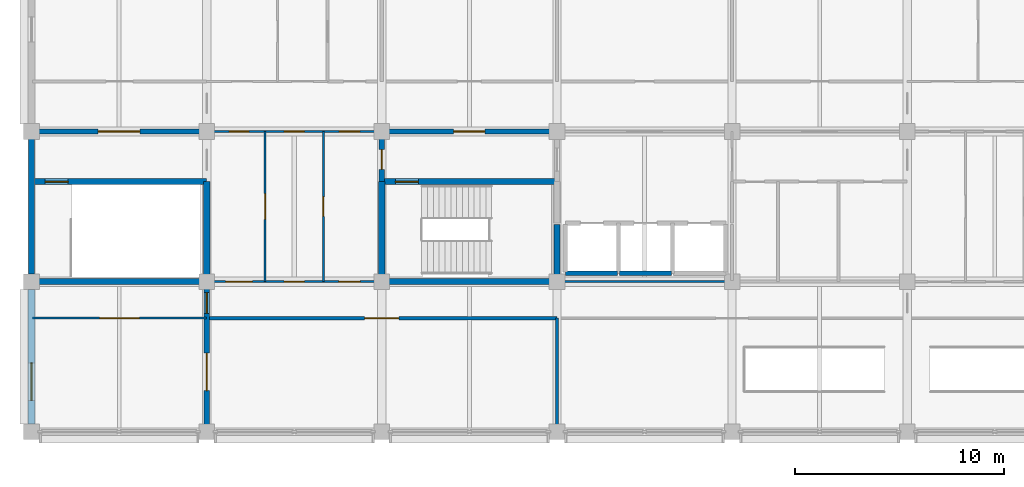
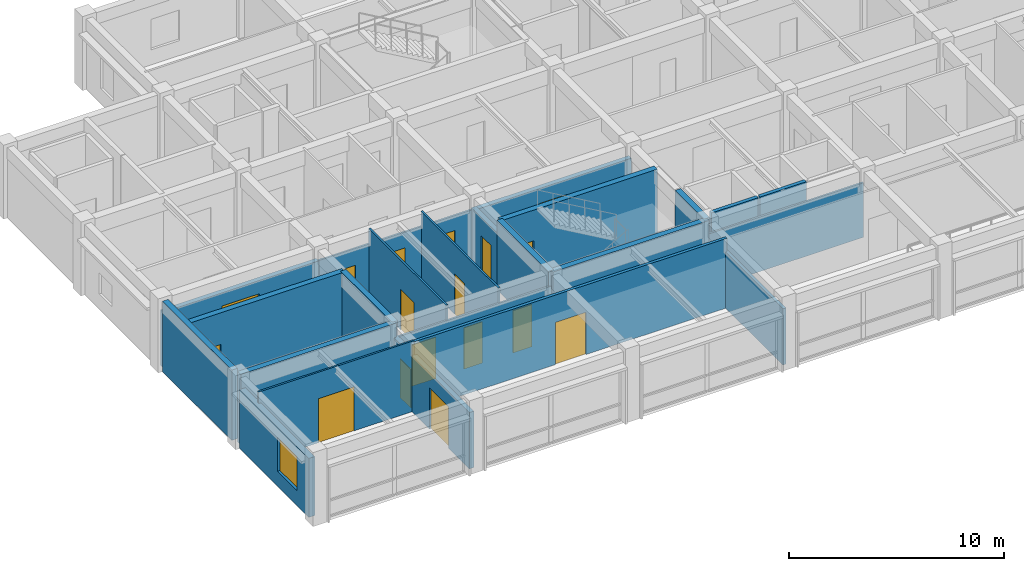
# One storey, part 11 of 23: 23 walls, 17 doors, 1 window, 18 openings.
"""IFC4 building model written with IfcOpenShell, lengths in metres."""

import ifcopenshell
import ifcopenshell.guid

model = None  # the IFC model being written
_history = None  # IfcOwnerHistory: only IFC2X3 demands one
_inside = {}  # id of a spatial element -> (the spatial element, [elements in it])
_under = {}  # id of a project, library or spatial element -> (it, [spatial elements below it])
_declared = {}  # id of a project -> (the project, [libraries it declares])
_typed = {}  # id of a type object -> (the type object, [elements of that type])
_made_of = {}  # id of a material, layer set ... -> (it, [elements and type objects made of it])


def new_model(schema):
    """Start an empty IFC model of exactly this schema.

    Asked for "IFC4X3", IfcOpenShell would pick the latest addendum, in which some entities
    have other attributes; the version numbers below select the first issue.
    IFC2X3 requires an IfcOwnerHistory on every rooted entity: one is made here for all.
    """
    global model, _history
    if schema == "IFC4X3":
        model = ifcopenshell.file(schema_version=(4, 3, 0, 0))
    else:
        model = ifcopenshell.file(schema=schema)
    _inside.clear()
    _under.clear()
    _declared.clear()
    _typed.clear()
    _made_of.clear()
    _history = None
    if model.schema == "IFC2X3":
        org = make("IfcOrganization", Name="unknown")
        user = make(
            "IfcPersonAndOrganization",
            ThePerson=make("IfcPerson", FamilyName="unknown"),
            TheOrganization=org,
        )
        app = make(
            "IfcApplication",
            ApplicationDeveloper=org,
            Version="unknown",
            ApplicationFullName="unknown",
            ApplicationIdentifier="unknown",
        )
        _history = make(
            "IfcOwnerHistory",
            OwningUser=user,
            OwningApplication=app,
            ChangeAction="ADDED",
            CreationDate=0,
        )
    return model


def make(cls, **values):
    """One entity of the class cls with the attributes given. An attribute that is None is left unset."""
    return model.create_entity(
        cls, **{name: value for name, value in values.items() if value is not None}
    )


def rooted(cls, **values):
    """An entity with a GlobalId (a new one), such as an element, a storey or a relation."""
    return make(cls, GlobalId=ifcopenshell.guid.new(), OwnerHistory=_history, **values)


def si_unit(unit_type, name, prefix=None):
    """IfcSIUnit, for example si_unit("LENGTHUNIT", "METRE", prefix="MILLI")."""
    return make("IfcSIUnit", UnitType=unit_type, Prefix=prefix, Name=name)


def assignment(units):
    """IfcUnitAssignment: the units of a project."""
    return None if units is None else make("IfcUnitAssignment", Units=units)


def point(xyz):
    """IfcCartesianPoint."""
    return None if xyz is None else make("IfcCartesianPoint", Coordinates=xyz)


def direction(xyz):
    """IfcDirection."""
    return None if xyz is None else make("IfcDirection", DirectionRatios=xyz)


def frame(location, z_axis=None, x_axis=None):
    """IfcAxis2Placement3D, a coordinate frame: its origin and axes. An axis left out is left unset."""
    return make(
        "IfcAxis2Placement3D",
        Location=point(location),
        Axis=direction(z_axis),
        RefDirection=direction(x_axis),
    )


def frame_2d(location, x_axis=None):
    """IfcAxis2Placement2D, a coordinate frame in the plane: its origin and x axis."""
    return make(
        "IfcAxis2Placement2D", Location=point(location), RefDirection=direction(x_axis)
    )


def origin():
    """The frame at (0, 0, 0) with its axes left unset."""
    return frame((0.0, 0.0, 0.0))


def place(relative_to, where):
    """IfcLocalPlacement: puts the frame where relative to a parent placement (None: the world)."""
    return make(
        "IfcLocalPlacement", PlacementRelTo=relative_to, RelativePlacement=where
    )


def context(
    kind, dimensions, precision=None, world=None, true_north=None, identifier=None
):
    """IfcGeometricRepresentationContext, for example the 3D "Model" context."""
    return make(
        "IfcGeometricRepresentationContext",
        ContextIdentifier=identifier,
        ContextType=kind,
        CoordinateSpaceDimension=dimensions,
        Precision=precision,
        WorldCoordinateSystem=world,
        TrueNorth=true_north,
    )


def subcontext(parent, identifier, kind, view, scale=None):
    """IfcGeometricRepresentationSubContext, for example "Body" below "Model"."""
    return make(
        "IfcGeometricRepresentationSubContext",
        ContextIdentifier=identifier,
        ContextType=kind,
        ParentContext=parent,
        TargetScale=scale,
        TargetView=view,
    )


def project(units=None, contexts=None):
    """IfcProject with its units and contexts."""
    return rooted(
        "IfcProject",
        Name="project",
        RepresentationContexts=contexts,
        UnitsInContext=assignment(units),
    )


def spatial(cls, under=None, at=None, **own):
    """A site, building, storey or space (cls), placed at a placement, below another one or the project."""
    s = rooted(cls, ObjectPlacement=at, **own)
    if under is not None:
        _under.setdefault(under.id(), (under, []))[1].append(s)
    return s


def profile(cls, at=None, kind="AREA", **sizes):
    """A parametric profile (cls). Its sizes go by their IFC names, for example OverallWidth=200.0."""
    return make(cls, ProfileType=kind, Position=at, **sizes)


def rectangle(**sizes):
    """IfcRectangleProfileDef."""
    return profile("IfcRectangleProfileDef", **sizes)


def extrude(swept, where, along, depth):
    """IfcExtrudedAreaSolid: the profile swept, set in the frame where, extruded along a direction by depth."""
    return make(
        "IfcExtrudedAreaSolid",
        SweptArea=swept,
        Position=where,
        ExtrudedDirection=direction(along),
        Depth=depth,
    )


def shape(context_of_items, identifier, shape_type, items):
    """IfcShapeRepresentation: the items that make up one representation, for example the "Body"."""
    return make(
        "IfcShapeRepresentation",
        ContextOfItems=context_of_items,
        RepresentationIdentifier=identifier,
        RepresentationType=shape_type,
        Items=items,
    )


def material(Name=None, Category=None):
    """IfcMaterial."""
    return make("IfcMaterial", Name=Name, Category=Category)


def layer(
    of_material, thickness, ventilated=None, Name=None, Category=None, Priority=None
):
    """IfcMaterialLayer: one layer of a wall or slab, of a material (None: an air gap)."""
    return make(
        "IfcMaterialLayer",
        Material=of_material,
        LayerThickness=thickness,
        IsVentilated=ventilated,
        Name=Name,
        Category=Category,
        Priority=Priority,
    )


def layer_set(layers, Name=None):
    """IfcMaterialLayerSet."""
    return make("IfcMaterialLayerSet", MaterialLayers=layers, LayerSetName=Name)


def made_of(thing, what):
    """Note that an element or type object is made of a material, layer set ...; save() writes the relation."""
    if what is not None:
        _made_of.setdefault(what.id(), (what, []))[1].append(thing)
    return thing


def type_object(cls, material=None, **own):
    """A type object (cls), such as IfcWallType, which elements share."""
    return made_of(rooted(cls, **own), material)


def element(
    cls,
    number,
    at=None,
    inside=None,
    cuts=None,
    type_object=None,
    material=None,
    context=None,
    identifier="Body",
    shape_type=None,
    held_by="IfcProductDefinitionShape",
    body=None,
    shapes=None,
    **own,
):
    """One element of the class cls, such as IfcWall. Its Tag is "e" and its number.

    at: its placement. inside: the storey or other place that contains it. cuts: it is an
    opening in that element (IfcRelVoidsElement). A single representation is given by context,
    identifier, shape_type and body (its items); several are given by shapes. held_by: the class
    of the entity that holds the representations. save() writes the other relations.
    """
    e = rooted(cls, Tag="e%d" % number, ObjectPlacement=at, **own)
    if body is not None:
        shapes = [shape(context, identifier, shape_type, body)]
    if shapes is not None:
        e.Representation = make(held_by, Representations=shapes)
    if inside is not None:
        _inside.setdefault(inside.id(), (inside, []))[1].append(e)
    if cuts is not None:
        rooted(
            "IfcRelVoidsElement", RelatingBuildingElement=cuts, RelatedOpeningElement=e
        )
    if type_object is not None:
        _typed.setdefault(type_object.id(), (type_object, []))[1].append(e)
    return made_of(e, material)


def fill(opening, filler):
    """IfcRelFillsElement: the door or window that sits in an opening."""
    return rooted(
        "IfcRelFillsElement",
        RelatingOpeningElement=opening,
        RelatedBuildingElement=filler,
    )


def aggregate(whole, parts):
    """IfcRelAggregates: a whole, such as a stair, and the parts it consists of."""
    return rooted("IfcRelAggregates", RelatingObject=whole, RelatedObjects=parts)


def save(model, path):
    """Write the relations noted so far, then the file.

    IfcRelAggregates (storeys below a building ...), IfcRelContainedInSpatialStructure (elements
    in a storey), IfcRelDefinesByType, IfcRelAssociatesMaterial and IfcRelDeclares: one each for
    every whole, place, type object, material and project.
    """
    for whole, parts in _under.values():
        aggregate(whole, parts)
    for where, things in _inside.values():
        rooted(
            "IfcRelContainedInSpatialStructure",
            RelatedElements=things,
            RelatingStructure=where,
        )
    for kind, things in _typed.values():
        rooted("IfcRelDefinesByType", RelatedObjects=things, RelatingType=kind)
    for what, things in _made_of.values():
        rooted("IfcRelAssociatesMaterial", RelatedObjects=things, RelatingMaterial=what)
    for by, libraries in _declared.values():
        rooted("IfcRelDeclares", RelatingContext=by, RelatedDefinitions=libraries)
    model.write(path)


model = new_model("IFC4")

# Units and contexts
model_context = context("Model", 3, precision=1e-05, world=origin(), true_north=direction((0.0, 1.0)))
body_context = subcontext(model_context, "Body", "Model", "MODEL_VIEW")
ifc_project = project(units=[si_unit("LENGTHUNIT", "METRE"), si_unit("AREAUNIT", "SQUARE_METRE"), si_unit("VOLUMEUNIT", "CUBIC_METRE"), si_unit("PLANEANGLEUNIT", "RADIAN"), si_unit("MASSUNIT", "GRAM", prefix="KILO")], contexts=[model_context])

# Site, building, storey
site_placement = place(None, origin())
site = spatial("IfcSite", under=ifc_project, at=site_placement, CompositionType="ELEMENT")
building_placement = place(site_placement, origin())
building = spatial("IfcBuilding", under=site, at=building_placement, Name="Chengyuan Square Courthouse", CompositionType="ELEMENT")
storey_placement = place(building_placement, frame((0.0, 0.0, 43.5)))
storey = spatial("IfcBuildingStorey", under=building, at=storey_placement, Name="L10", CompositionType="ELEMENT", Elevation=43.5)

# Wall, opening, window
ifc_material_1 = material(Name="Concrete C40", Category="concrete")
ifc_layer_1 = layer(ifc_material_1, 0.320068359375)
ifc_layer_set_1 = layer_set([ifc_layer_1], Name="Concrete C40")
wall_type_1 = type_object("IfcWallType", Name="WL-EW3", PredefinedType="STANDARD", material=ifc_layer_set_1)
wall_1_placement = place(storey_placement, frame((42.0, 79.570068359375, 0.0), z_axis=(0.0, 0.0, 1.0), x_axis=(0.0, 1.0, 0.0)))
wall_1 = element("IfcWall", 1, at=wall_1_placement, inside=storey, type_object=wall_type_1, Name="Exterior Wall WL-L10-E429", PredefinedType="STANDARD", context=body_context, shape_type="SweptSolid", body=[
    extrude(rectangle(XDim=6.4599609375, YDim=0.320068359375, at=frame_2d((3.22998046875, 0.0))), origin(), (0.0, 0.0, 1.0), 3.35009765625),
])
opening_1_placement = place(wall_1_placement, frame((1.1298828125, 0.0, 0.85009765625)))
opening_1 = element("IfcOpeningElement", 2, at=opening_1_placement, cuts=wall_1, Name="Opening WN-169", PredefinedType="OPENING", context=body_context, shape_type="SweptSolid", body=[
    extrude(rectangle(XDim=1.800048828125, YDim=1.919921875, at=frame_2d((0.89990234375, 0.9599609375))), frame((0.0, 0.172119140625, 0.0), z_axis=(0.0, -1.0, 0.0), x_axis=(1.0, 0.0, 0.0)), (0.0, 0.0, 1.0), 0.343994140625),
])
ifc_material_2 = material(Name="Thermally Broken Aluminium Triple Low-E Window", Category="aluminium")
window_type = type_object("IfcWindowType", Name="WT-35", PartitioningType="SINGLE_PANEL", PredefinedType="WINDOW", material=ifc_material_2)
window_placement = place(opening_1_placement, origin())
window = element("IfcWindow", 3, at=window_placement, inside=storey, type_object=window_type, Name="Facade Window WN-169", OverallHeight=1.919921875, OverallWidth=1.800048828125, PartitioningType="SINGLE_PANEL", PredefinedType="WINDOW", context=body_context, shape_type="SweptSolid", body=[
    extrude(rectangle(XDim=1.800048828125, YDim=1.919921875, at=frame_2d((0.89990234375, 0.9599609375))), frame((0.0, 0.030029296875, 0.0), z_axis=(0.0, -1.0, 0.0), x_axis=(1.0, 0.0, 0.0)), (0.0, 0.0, 1.0), 0.06005859375),
])
fill(opening_1, window)

# Wall, opening, door
ifc_layer_2 = layer(ifc_material_1, 0.25)
ifc_layer_set_2 = layer_set([ifc_layer_2], Name="Concrete C40")
wall_type_2 = type_object("IfcWallType", Name="WL-FW1", PredefinedType="STANDARD", material=ifc_layer_set_2)
wall_2_placement = place(storey_placement, frame((42.0400390625, 93.60009765625, 0.0), z_axis=(0.0, 0.0, 1.0), x_axis=(1.0, 0.0, 0.0)))
wall_2 = element("IfcWall", 4, at=wall_2_placement, inside=storey, type_object=wall_type_2, Name="Interior Wall WL-L10-I3323", PredefinedType="STANDARD", context=body_context, shape_type="SweptSolid", body=[
    extrude(rectangle(XDim=8.35986328125, YDim=0.25, at=frame_2d((4.179931640625, 0.0))), origin(), (0.0, 0.0, 1.0), 3.14990234375),
])
opening_2_placement = place(wall_2_placement, frame((3.159912109375, 0.0, 0.0)))
opening_2 = element("IfcOpeningElement", 5, at=opening_2_placement, cuts=wall_2, Name="Opening DR-2789", PredefinedType="OPENING", context=body_context, shape_type="SweptSolid", body=[
    extrude(rectangle(XDim=2.0, YDim=2.39990234375, at=frame_2d((1.0, 1.199951171875))), frame((0.0, 0.136962890625, 0.0), z_axis=(0.0, -1.0, 0.0), x_axis=(1.0, 0.0, 0.0)), (0.0, 0.0, 1.0), 0.27392578125),
])
ifc_material_3 = material(Name="Steel Q235B Glazed Fire Door", Category="steel")
door_type_1 = type_object("IfcDoorType", Name="DT-20", OperationType="DOUBLE_DOOR_SINGLE_SWING", PredefinedType="DOOR", material=ifc_material_3)
door_1_placement = place(opening_2_placement, frame((2.0, 0.0, 0.0), z_axis=(0.0, 0.0, 1.0), x_axis=(-1.0, 0.0, 0.0)))
door_1 = element("IfcDoor", 6, at=door_1_placement, inside=storey, type_object=door_type_1, Name="Interior Door DR-2789", OperationType="DOUBLE_DOOR_SINGLE_SWING", OverallHeight=2.39990234375, OverallWidth=2.0, PredefinedType="DOOR", context=body_context, shape_type="SweptSolid", body=[
    extrude(rectangle(XDim=2.0, YDim=2.39990234375, at=frame_2d((1.0, 1.199951171875))), frame((0.0, 0.02490234375, 0.0), z_axis=(0.0, -1.0, 0.0), x_axis=(1.0, 0.0, 0.0)), (0.0, 0.0, 1.0), 0.050048828125),
])
fill(opening_2, door_1)

wall_3_placement = place(storey_placement, frame((58.800048828125, 93.60009765625, 0.0), z_axis=(0.0, 0.0, 1.0), x_axis=(1.0, 0.0, 0.0)))
wall_3 = element("IfcWall", 7, at=wall_3_placement, inside=storey, type_object=wall_type_2, Name="Interior Wall WL-L10-I3325", PredefinedType="STANDARD", context=body_context, shape_type="SweptSolid", body=[
    extrude(rectangle(XDim=8.39990234375, YDim=0.25, at=frame_2d((4.199951171875, 0.0))), origin(), (0.0, 0.0, 1.0), 3.10009765625),
])
opening_3_placement = place(wall_3_placement, frame((3.449951171875, 0.0, 0.0)))
opening_3 = element("IfcOpeningElement", 8, at=opening_3_placement, cuts=wall_3, Name="Opening DR-2784", PredefinedType="OPENING", context=body_context, shape_type="SweptSolid", body=[
    extrude(rectangle(XDim=1.5, YDim=2.25, at=frame_2d((0.75, 1.125))), frame((0.0, 0.136962890625, 0.0), z_axis=(0.0, -1.0, 0.0), x_axis=(1.0, 0.0, 0.0)), (0.0, 0.0, 1.0), 0.27392578125),
])
door_type_2 = type_object("IfcDoorType", Name="DT-19", OperationType="DOUBLE_DOOR_SINGLE_SWING", PredefinedType="DOOR", material=ifc_material_3)
door_2_placement = place(opening_3_placement, frame((1.5, 0.0, 0.0), z_axis=(0.0, 0.0, 1.0), x_axis=(-1.0, 0.0, 0.0)))
door_2 = element("IfcDoor", 9, at=door_2_placement, inside=storey, type_object=door_type_2, Name="Interior Door DR-2784", OperationType="DOUBLE_DOOR_SINGLE_SWING", OverallHeight=2.25, OverallWidth=1.5, PredefinedType="DOOR", context=body_context, shape_type="SweptSolid", body=[
    extrude(rectangle(XDim=1.5, YDim=2.25, at=frame_2d((0.75, 1.125))), frame((0.0, 0.02490234375, 0.0), z_axis=(0.0, -1.0, 0.0), x_axis=(1.0, 0.0, 0.0)), (0.0, 0.0, 1.0), 0.050048828125),
])
fill(opening_3, door_2)

# Wall, openings, doors
wall_4_placement = place(storey_placement, frame((50.39990234375, 79.239990234375, 0.0), z_axis=(0.0, 0.0, 1.0), x_axis=(0.0, 1.0, 0.0)))
wall_4 = element("IfcWall", 10, at=wall_4_placement, inside=storey, type_object=wall_type_2, Name="Interior Wall WL-L10-I3404", PredefinedType="STANDARD", context=body_context, shape_type="SweptSolid", body=[
    extrude(rectangle(XDim=7.159912109375, YDim=0.25, at=frame_2d((3.580078125, 0.0))), origin(), (0.0, 0.0, 1.0), 3.199951171875),
])
opening_4_placement = place(wall_4_placement, frame((5.637451171875, 0.0, 0.0)))
opening_4 = element("IfcOpeningElement", 11, at=opening_4_placement, cuts=wall_4, Name="Opening DR-2898", PredefinedType="OPENING", context=body_context, shape_type="SweptSolid", body=[
    extrude(rectangle(XDim=1.0, YDim=2.199951171875, at=frame_2d((0.5, 1.10009765625))), frame((0.0, 0.136962890625, 0.0), z_axis=(0.0, -1.0, 0.0), x_axis=(1.0, 0.0, 0.0)), (0.0, 0.0, 1.0), 0.27392578125),
])
opening_5_placement = place(wall_4_placement, frame((1.9326171875, 0.0, 0.0)))
opening_5 = element("IfcOpeningElement", 12, at=opening_5_placement, cuts=wall_4, Name="Opening DR-2907", PredefinedType="OPENING", context=body_context, shape_type="SweptSolid", body=[
    extrude(rectangle(XDim=1.800048828125, YDim=2.35009765625, at=frame_2d((0.89990234375, 1.175048828125))), frame((0.0, 0.136962890625, 0.0), z_axis=(0.0, -1.0, 0.0), x_axis=(1.0, 0.0, 0.0)), (0.0, 0.0, 1.0), 0.27392578125),
])
ifc_material_4 = material(Name="Steel Q235B Fire Door", Category="steel")
door_type_3 = type_object("IfcDoorType", Name="DT-11", OperationType="NOTDEFINED", PredefinedType="DOOR", material=ifc_material_4)
door_3_placement = place(opening_4_placement, origin())
door_3 = element("IfcDoor", 13, at=door_3_placement, inside=storey, type_object=door_type_3, Name="Interior Door DR-2898", OperationType="SINGLE_SWING_LEFT", OverallHeight=2.199951171875, OverallWidth=1.0, PredefinedType="DOOR", context=body_context, shape_type="SweptSolid", body=[
    extrude(rectangle(XDim=1.0, YDim=2.199951171875, at=frame_2d((0.5, 1.10009765625))), frame((0.0, 0.02490234375, 0.0), z_axis=(0.0, -1.0, 0.0), x_axis=(1.0, 0.0, 0.0)), (0.0, 0.0, 1.0), 0.050048828125),
])
fill(opening_4, door_3)
door_type_4 = type_object("IfcDoorType", Name="DT-18", OperationType="DOUBLE_DOOR_SINGLE_SWING", PredefinedType="DOOR", material=ifc_material_3)
door_4_placement = place(opening_5_placement, frame((1.800048828125, 0.0, 0.0), z_axis=(0.0, 0.0, 1.0), x_axis=(-1.0, 0.0, 0.0)))
door_4 = element("IfcDoor", 14, at=door_4_placement, inside=storey, type_object=door_type_4, Name="Interior Door DR-2907", OperationType="DOUBLE_DOOR_SINGLE_SWING", OverallHeight=2.35009765625, OverallWidth=1.800048828125, PredefinedType="DOOR", context=body_context, shape_type="SweptSolid", body=[
    extrude(rectangle(XDim=1.800048828125, YDim=2.35009765625, at=frame_2d((0.89990234375, 1.175048828125))), frame((0.0, 0.02490234375, 0.0), z_axis=(0.0, -1.0, 0.0), x_axis=(1.0, 0.0, 0.0)), (0.0, 0.0, 1.0), 0.050048828125),
])
fill(opening_5, door_4)

# Wall, opening, door
wall_5_placement = place(storey_placement, frame((58.800048828125, 91.199951171875, 0.0), z_axis=(0.0, 0.0, 1.0), x_axis=(0.0, 1.0, 0.0)))
wall_5 = element("IfcWall", 15, at=wall_5_placement, inside=storey, type_object=wall_type_2, Name="Interior Wall WL-L10-I3417", PredefinedType="STANDARD", context=body_context, shape_type="SweptSolid", body=[
    extrude(rectangle(XDim=2.400146484375, YDim=0.25, at=frame_2d((1.2001953125, 0.0))), origin(), (0.0, 0.0, 1.0), 3.199951171875),
])
opening_6_placement = place(wall_5_placement, frame((0.577392578125, 0.0, 0.0)))
opening_6 = element("IfcOpeningElement", 16, at=opening_6_placement, cuts=wall_5, Name="Opening DR-2785", PredefinedType="OPENING", context=body_context, shape_type="SweptSolid", body=[
    extrude(rectangle(XDim=0.949951171875, YDim=2.14990234375, at=frame_2d((0.47509765625, 1.074951171875))), frame((0.0, 0.136962890625, 0.0), z_axis=(0.0, -1.0, 0.0), x_axis=(1.0, 0.0, 0.0)), (0.0, 0.0, 1.0), 0.27392578125),
])
door_type_5 = type_object("IfcDoorType", Name="DT-12", OperationType="NOTDEFINED", PredefinedType="DOOR", material=ifc_material_4)
door_5_placement = place(opening_6_placement, origin())
door_5 = element("IfcDoor", 17, at=door_5_placement, inside=storey, type_object=door_type_5, Name="Interior Door DR-2785", OperationType="SINGLE_SWING_RIGHT", OverallHeight=2.14990234375, OverallWidth=0.949951171875, PredefinedType="DOOR", context=body_context, shape_type="SweptSolid", body=[
    extrude(rectangle(XDim=0.949951171875, YDim=2.14990234375, at=frame_2d((0.47509765625, 1.074951171875))), frame((0.0, 0.02490234375, 0.0), z_axis=(0.0, -1.0, 0.0), x_axis=(1.0, 0.0, 0.0)), (0.0, 0.0, 1.0), 0.050048828125),
])
fill(opening_6, door_5)

ifc_material_5 = material(Name="Acoustic Timber-Lined Gypsum Partition", Category="wood")
ifc_layer_3 = layer(ifc_material_5, 0.159912109375)
ifc_layer_set_3 = layer_set([ifc_layer_3], Name="Acoustic Timber-Lined Gypsum Partition")
wall_type_3 = type_object("IfcWallType", Name="WL-PT2", PredefinedType="STANDARD", material=ifc_layer_set_3)
wall_6_placement = place(storey_placement, frame((50.39990234375, 84.64990234375, 0.0), z_axis=(0.0, 0.0, 1.0), x_axis=(1.0, 0.0, 0.0)))
wall_6 = element("IfcWall", 18, at=wall_6_placement, inside=storey, type_object=wall_type_3, Name="Interior Wall WL-L10-I3296", PredefinedType="STANDARD", context=body_context, shape_type="SweptSolid", body=[
    extrude(rectangle(XDim=16.800048828125, YDim=0.159912109375, at=frame_2d((8.39990234375, 0.0))), origin(), (0.0, 0.0, 1.0), 3.949951171875),
])
opening_7_placement = place(wall_6_placement, frame((7.574951171875, 0.0, 0.0)))
opening_7 = element("IfcOpeningElement", 19, at=opening_7_placement, cuts=wall_6, Name="Opening DR-2901", PredefinedType="OPENING", context=body_context, shape_type="SweptSolid", body=[
    extrude(rectangle(XDim=1.64990234375, YDim=2.39990234375, at=frame_2d((0.824951171875, 1.199951171875))), frame((0.0, 0.092041015625, 0.0), z_axis=(0.0, -1.0, 0.0), x_axis=(1.0, 0.0, 0.0)), (0.0, 0.0, 1.0), 0.183837890625),
])
ifc_material_6 = material(Name="Acoustic Larch Veneer Double Door")
door_type_6 = type_object("IfcDoorType", Name="DT-22", OperationType="DOUBLE_DOOR_SINGLE_SWING", PredefinedType="DOOR", material=ifc_material_6)
door_6_placement = place(opening_7_placement, frame((1.64990234375, 0.0, 0.0), z_axis=(0.0, 0.0, 1.0), x_axis=(-1.0, 0.0, 0.0)))
door_6 = element("IfcDoor", 20, at=door_6_placement, inside=storey, type_object=door_type_6, Name="Interior Door DR-2901", OperationType="DOUBLE_DOOR_SINGLE_SWING", OverallHeight=2.39990234375, OverallWidth=1.64990234375, PredefinedType="DOOR", context=body_context, shape_type="SweptSolid", body=[
    extrude(rectangle(XDim=1.64990234375, YDim=2.39990234375, at=frame_2d((0.824951171875, 1.199951171875))), frame((0.0, 0.02490234375, 0.0), z_axis=(0.0, -1.0, 0.0), x_axis=(1.0, 0.0, 0.0)), (0.0, 0.0, 1.0), 0.050048828125),
])
fill(opening_7, door_6)

# Wall
wall_7_placement = place(storey_placement, frame((67.199951171875, 79.239990234375, 0.0), z_axis=(0.0, 0.0, 1.0), x_axis=(0.0, 1.0, 0.0)))
element("IfcWall", 21, at=wall_7_placement, inside=storey, type_object=wall_type_3, Name="Interior Wall WL-L10-I3422", PredefinedType="STANDARD", context=body_context, shape_type="SweptSolid", body=[
    extrude(rectangle(XDim=5.409912109375, YDim=0.159912109375, at=frame_2d((2.705078125, 0.0))), origin(), (0.0, 0.0, 1.0), 3.199951171875),
])

# Wall, opening, door
ifc_material_7 = material(Name="Gypsum Plasterboard Acoustic Stud Partition")
ifc_layer_4 = layer(ifc_material_7, 0.10009765625)
ifc_layer_set_4 = layer_set([ifc_layer_4], Name="Gypsum Plasterboard Acoustic Stud Partition")
wall_type_4 = type_object("IfcWallType", Name="WL-PT6", PredefinedType="STANDARD", material=ifc_layer_set_4)
wall_8_placement = place(storey_placement, frame((42.0400390625, 84.64990234375, 0.0), z_axis=(0.0, 0.0, 1.0), x_axis=(1.0, 0.0, 0.0)))
wall_8 = element("IfcWall", 22, at=wall_8_placement, inside=storey, type_object=wall_type_4, Name="Interior Wall WL-L10-I3295", PredefinedType="STANDARD", context=body_context, shape_type="SweptSolid", body=[
    extrude(rectangle(XDim=8.35986328125, YDim=0.10009765625, at=frame_2d((4.179931640625, 0.0))), origin(), (0.0, 0.0, 1.0), 4.0),
])
opening_8_placement = place(wall_8_placement, frame((3.22998046875, 0.0, 0.0)))
opening_8 = element("IfcOpeningElement", 23, at=opening_8_placement, cuts=wall_8, Name="Opening DR-2899", PredefinedType="OPENING", context=body_context, shape_type="SweptSolid", body=[
    extrude(rectangle(XDim=1.89990234375, YDim=2.5, at=frame_2d((0.949951171875, 1.25))), frame((0.0, 0.06201171875, 0.0), z_axis=(0.0, -1.0, 0.0), x_axis=(1.0, 0.0, 0.0)), (0.0, 0.0, 1.0), 0.1240234375),
])
door_type_7 = type_object("IfcDoorType", Name="DT-26", OperationType="DOUBLE_DOOR_SINGLE_SWING", PredefinedType="DOOR", material=ifc_material_6)
door_7_placement = place(opening_8_placement, frame((1.89990234375, 0.0, 0.0), z_axis=(0.0, 0.0, 1.0), x_axis=(-1.0, 0.0, 0.0)))
door_7 = element("IfcDoor", 24, at=door_7_placement, inside=storey, type_object=door_type_7, Name="Interior Door DR-2899", OperationType="DOUBLE_DOOR_SINGLE_SWING", OverallHeight=2.5, OverallWidth=1.89990234375, PredefinedType="DOOR", context=body_context, shape_type="SweptSolid", body=[
    extrude(rectangle(XDim=1.89990234375, YDim=2.5, at=frame_2d((0.949951171875, 1.25))), frame((0.0, 0.02490234375, 0.0), z_axis=(0.0, -1.0, 0.0), x_axis=(1.0, 0.0, 0.0)), (0.0, 0.0, 1.0), 0.050048828125),
])
fill(opening_8, door_7)

# Wall, openings, doors
wall_9_placement = place(storey_placement, frame((50.39990234375, 86.39990234375, 0.0), z_axis=(0.0, 0.0, 1.0), x_axis=(1.0, 0.0, 0.0)))
wall_9 = element("IfcWall", 25, at=wall_9_placement, inside=storey, type_object=wall_type_4, Name="Interior Wall WL-L10-I3301", PredefinedType="STANDARD", context=body_context, shape_type="SweptSolid", body=[
    extrude(rectangle(XDim=8.400146484375, YDim=0.10009765625, at=frame_2d((4.2001953125, 0.0))), origin(), (0.0, 0.0, 1.0), 3.10009765625),
])
opening_9_placement = place(wall_9_placement, frame((0.907470703125, 0.0, 0.0)))
opening_9 = element("IfcOpeningElement", 26, at=opening_9_placement, cuts=wall_9, Name="Opening DR-2874", PredefinedType="OPENING", context=body_context, shape_type="SweptSolid", body=[
    extrude(rectangle(XDim=1.280029296875, YDim=2.35009765625, at=frame_2d((0.64013671875, 1.175048828125))), frame((0.0, 0.06201171875, 0.0), z_axis=(0.0, -1.0, 0.0), x_axis=(1.0, 0.0, 0.0)), (0.0, 0.0, 1.0), 0.1240234375),
])
opening_10_placement = place(wall_9_placement, frame((3.7099609375, 0.0, 0.0)))
opening_10 = element("IfcOpeningElement", 27, at=opening_10_placement, cuts=wall_9, Name="Opening DR-2876", PredefinedType="OPENING", context=body_context, shape_type="SweptSolid", body=[
    extrude(rectangle(XDim=0.97998046875, YDim=2.35009765625, at=frame_2d((0.489990234375, 1.175048828125))), frame((0.0, 0.06201171875, 0.0), z_axis=(0.0, -1.0, 0.0), x_axis=(1.0, 0.0, 0.0)), (0.0, 0.0, 1.0), 0.1240234375),
])
opening_11_placement = place(wall_9_placement, frame((6.342529296875, 0.0, 0.0)))
opening_11 = element("IfcOpeningElement", 28, at=opening_11_placement, cuts=wall_9, Name="Opening DR-2877", PredefinedType="OPENING", context=body_context, shape_type="SweptSolid", body=[
    extrude(rectangle(XDim=1.02001953125, YDim=2.39990234375, at=frame_2d((0.510009765625, 1.199951171875))), frame((0.0, 0.06201171875, 0.0), z_axis=(0.0, -1.0, 0.0), x_axis=(1.0, 0.0, 0.0)), (0.0, 0.0, 1.0), 0.1240234375),
])
ifc_material_8 = material(Name="Acoustic Solid-Core Timber Door", Category="wood")
door_type_8 = type_object("IfcDoorType", Name="DT-38", OperationType="NOTDEFINED", PredefinedType="DOOR", material=ifc_material_8)
door_8_placement = place(opening_9_placement, origin())
door_8 = element("IfcDoor", 29, at=door_8_placement, inside=storey, type_object=door_type_8, Name="Interior Door DR-2874", OperationType="SINGLE_SWING_RIGHT", OverallHeight=2.35009765625, OverallWidth=1.280029296875, PredefinedType="DOOR", context=body_context, shape_type="SweptSolid", body=[
    extrude(rectangle(XDim=1.280029296875, YDim=2.35009765625, at=frame_2d((0.64013671875, 1.175048828125))), frame((0.0, 0.02490234375, 0.0), z_axis=(0.0, -1.0, 0.0), x_axis=(1.0, 0.0, 0.0)), (0.0, 0.0, 1.0), 0.050048828125),
])
fill(opening_9, door_8)
door_type_9 = type_object("IfcDoorType", Name="DT-40", OperationType="NOTDEFINED", PredefinedType="DOOR", material=ifc_material_8)
door_9_placement = place(opening_10_placement, origin())
door_9 = element("IfcDoor", 30, at=door_9_placement, inside=storey, type_object=door_type_9, Name="Interior Door DR-2876", OperationType="SINGLE_SWING_RIGHT", OverallHeight=2.35009765625, OverallWidth=0.97998046875, PredefinedType="DOOR", context=body_context, shape_type="SweptSolid", body=[
    extrude(rectangle(XDim=0.97998046875, YDim=2.35009765625, at=frame_2d((0.489990234375, 1.175048828125))), frame((0.0, 0.02490234375, 0.0), z_axis=(0.0, -1.0, 0.0), x_axis=(1.0, 0.0, 0.0)), (0.0, 0.0, 1.0), 0.050048828125),
])
fill(opening_10, door_9)
door_type_10 = type_object("IfcDoorType", Name="DT-41", OperationType="NOTDEFINED", PredefinedType="DOOR", material=ifc_material_8)
door_10_placement = place(opening_11_placement, origin())
door_10 = element("IfcDoor", 31, at=door_10_placement, inside=storey, type_object=door_type_10, Name="Interior Door DR-2877", OperationType="SINGLE_SWING_LEFT", OverallHeight=2.39990234375, OverallWidth=1.02001953125, PredefinedType="DOOR", context=body_context, shape_type="SweptSolid", body=[
    extrude(rectangle(XDim=1.02001953125, YDim=2.39990234375, at=frame_2d((0.510009765625, 1.199951171875))), frame((0.0, 0.02490234375, 0.0), z_axis=(0.0, -1.0, 0.0), x_axis=(1.0, 0.0, 0.0)), (0.0, 0.0, 1.0), 0.050048828125),
])
fill(opening_11, door_10)

# Wall
wall_10_placement = place(storey_placement, frame((67.25, 86.39990234375, 0.0), z_axis=(0.0, 0.0, 1.0), x_axis=(1.0, 0.0, 0.0)))
element("IfcWall", 32, at=wall_10_placement, inside=storey, type_object=wall_type_4, Name="Interior Wall WL-L10-I3303", PredefinedType="STANDARD", context=body_context, shape_type="SweptSolid", body=[
    extrude(rectangle(XDim=8.300048828125, YDim=0.10009765625, at=frame_2d((4.14990234375, 0.0))), origin(), (0.0, 0.0, 1.0), 3.10009765625),
])

# Wall, openings, doors
wall_11_placement = place(storey_placement, frame((50.39990234375, 93.60009765625, 0.0), z_axis=(0.0, 0.0, 1.0), x_axis=(1.0, 0.0, 0.0)))
wall_11 = element("IfcWall", 33, at=wall_11_placement, inside=storey, type_object=wall_type_4, Name="Interior Wall WL-L10-I3324", PredefinedType="STANDARD", context=body_context, shape_type="SweptSolid", body=[
    extrude(rectangle(XDim=8.400146484375, YDim=0.10009765625, at=frame_2d((4.2001953125, 0.0))), origin(), (0.0, 0.0, 1.0), 3.10009765625),
])
opening_12_placement = place(wall_11_placement, frame((1.08740234375, 0.0, 0.0)))
opening_12 = element("IfcOpeningElement", 34, at=opening_12_placement, cuts=wall_11, Name="Opening DR-2848", PredefinedType="OPENING", context=body_context, shape_type="SweptSolid", body=[
    extrude(rectangle(XDim=0.919921875, YDim=2.14990234375, at=frame_2d((0.4599609375, 1.074951171875))), frame((0.0, 0.06201171875, 0.0), z_axis=(0.0, -1.0, 0.0), x_axis=(1.0, 0.0, 0.0)), (0.0, 0.0, 1.0), 0.1240234375),
])
opening_13_placement = place(wall_11_placement, frame((3.719970703125, 0.0, 0.0)))
opening_13 = element("IfcOpeningElement", 35, at=opening_13_placement, cuts=wall_11, Name="Opening DR-2849", PredefinedType="OPENING", context=body_context, shape_type="SweptSolid", body=[
    extrude(rectangle(XDim=0.9599609375, YDim=2.199951171875, at=frame_2d((0.47998046875, 1.10009765625))), frame((0.0, 0.06201171875, 0.0), z_axis=(0.0, -1.0, 0.0), x_axis=(1.0, 0.0, 0.0)), (0.0, 0.0, 1.0), 0.1240234375),
])
opening_14_placement = place(wall_11_placement, frame((6.3525390625, 0.0, 0.0)))
opening_14 = element("IfcOpeningElement", 36, at=opening_14_placement, cuts=wall_11, Name="Opening DR-2850", PredefinedType="OPENING", context=body_context, shape_type="SweptSolid", body=[
    extrude(rectangle(XDim=1.0, YDim=2.25, at=frame_2d((0.5, 1.125))), frame((0.0, 0.06201171875, 0.0), z_axis=(0.0, -1.0, 0.0), x_axis=(1.0, 0.0, 0.0)), (0.0, 0.0, 1.0), 0.1240234375),
])
door_type_11 = type_object("IfcDoorType", Name="DT-29", OperationType="NOTDEFINED", PredefinedType="DOOR", material=ifc_material_8)
door_11_placement = place(opening_12_placement, origin())
door_11 = element("IfcDoor", 37, at=door_11_placement, inside=storey, type_object=door_type_11, Name="Interior Door DR-2848", OperationType="SINGLE_SWING_RIGHT", OverallHeight=2.14990234375, OverallWidth=0.919921875, PredefinedType="DOOR", context=body_context, shape_type="SweptSolid", body=[
    extrude(rectangle(XDim=0.919921875, YDim=2.14990234375, at=frame_2d((0.4599609375, 1.074951171875))), frame((0.0, 0.02490234375, 0.0), z_axis=(0.0, -1.0, 0.0), x_axis=(1.0, 0.0, 0.0)), (0.0, 0.0, 1.0), 0.050048828125),
])
fill(opening_12, door_11)
door_type_12 = type_object("IfcDoorType", Name="DT-30", OperationType="NOTDEFINED", PredefinedType="DOOR", material=ifc_material_8)
door_12_placement = place(opening_13_placement, origin())
door_12 = element("IfcDoor", 38, at=door_12_placement, inside=storey, type_object=door_type_12, Name="Interior Door DR-2849", OperationType="SINGLE_SWING_LEFT", OverallHeight=2.199951171875, OverallWidth=0.9599609375, PredefinedType="DOOR", context=body_context, shape_type="SweptSolid", body=[
    extrude(rectangle(XDim=0.9599609375, YDim=2.199951171875, at=frame_2d((0.47998046875, 1.10009765625))), frame((0.0, 0.02490234375, 0.0), z_axis=(0.0, -1.0, 0.0), x_axis=(1.0, 0.0, 0.0)), (0.0, 0.0, 1.0), 0.050048828125),
])
fill(opening_13, door_12)
door_type_13 = type_object("IfcDoorType", Name="DT-31", OperationType="NOTDEFINED", PredefinedType="DOOR", material=ifc_material_8)
door_13_placement = place(opening_14_placement, origin())
door_13 = element("IfcDoor", 39, at=door_13_placement, inside=storey, type_object=door_type_13, Name="Interior Door DR-2850", OperationType="SINGLE_SWING_RIGHT", OverallHeight=2.25, OverallWidth=1.0, PredefinedType="DOOR", context=body_context, shape_type="SweptSolid", body=[
    extrude(rectangle(XDim=1.0, YDim=2.25, at=frame_2d((0.5, 1.125))), frame((0.0, 0.02490234375, 0.0), z_axis=(0.0, -1.0, 0.0), x_axis=(1.0, 0.0, 0.0)), (0.0, 0.0, 1.0), 0.050048828125),
])
fill(opening_14, door_13)

# Wall, opening, door
wall_12_placement = place(storey_placement, frame((53.199951171875, 86.39990234375, 0.0), z_axis=(0.0, 0.0, 1.0), x_axis=(0.0, 1.0, 0.0)))
wall_12 = element("IfcWall", 40, at=wall_12_placement, inside=storey, type_object=wall_type_4, Name="Interior Wall WL-L10-I3409", PredefinedType="STANDARD", context=body_context, shape_type="SweptSolid", body=[
    extrude(rectangle(XDim=7.2001953125, YDim=0.10009765625, at=frame_2d((3.60009765625, 0.0))), origin(), (0.0, 0.0, 1.0), 3.949951171875),
])
opening_15_placement = place(wall_12_placement, frame((2.97998046875, 0.0, 0.0)))
opening_15 = element("IfcOpeningElement", 41, at=opening_15_placement, cuts=wall_12, Name="Opening DR-2873", PredefinedType="OPENING", context=body_context, shape_type="SweptSolid", body=[
    extrude(rectangle(XDim=1.239990234375, YDim=2.300048828125, at=frame_2d((0.6201171875, 1.14990234375))), frame((0.0, 0.06201171875, 0.0), z_axis=(0.0, -1.0, 0.0), x_axis=(1.0, 0.0, 0.0)), (0.0, 0.0, 1.0), 0.1240234375),
])
door_type_14 = type_object("IfcDoorType", Name="DT-37", OperationType="NOTDEFINED", PredefinedType="DOOR", material=ifc_material_8)
door_14_placement = place(opening_15_placement, origin())
door_14 = element("IfcDoor", 42, at=door_14_placement, inside=storey, type_object=door_type_14, Name="Interior Door DR-2873", OperationType="SINGLE_SWING_LEFT", OverallHeight=2.300048828125, OverallWidth=1.239990234375, PredefinedType="DOOR", context=body_context, shape_type="SweptSolid", body=[
    extrude(rectangle(XDim=1.239990234375, YDim=2.300048828125, at=frame_2d((0.6201171875, 1.14990234375))), frame((0.0, 0.02490234375, 0.0), z_axis=(0.0, -1.0, 0.0), x_axis=(1.0, 0.0, 0.0)), (0.0, 0.0, 1.0), 0.050048828125),
])
fill(opening_15, door_14)

wall_13_placement = place(storey_placement, frame((56.0, 86.39990234375, 0.0), z_axis=(0.0, 0.0, 1.0), x_axis=(0.0, 1.0, 0.0)))
wall_13 = element("IfcWall", 43, at=wall_13_placement, inside=storey, type_object=wall_type_4, Name="Interior Wall WL-L10-I3414", PredefinedType="STANDARD", context=body_context, shape_type="SweptSolid", body=[
    extrude(rectangle(XDim=7.2001953125, YDim=0.10009765625, at=frame_2d((3.60009765625, 0.0))), origin(), (0.0, 0.0, 1.0), 3.949951171875),
])
opening_16_placement = place(wall_13_placement, frame((3.1298828125, 0.0, 0.0)))
opening_16 = element("IfcOpeningElement", 44, at=opening_16_placement, cuts=wall_13, Name="Opening DR-2875", PredefinedType="OPENING", context=body_context, shape_type="SweptSolid", body=[
    extrude(rectangle(XDim=0.93994140625, YDim=2.300048828125, at=frame_2d((0.469970703125, 1.14990234375))), frame((0.0, 0.06201171875, 0.0), z_axis=(0.0, -1.0, 0.0), x_axis=(1.0, 0.0, 0.0)), (0.0, 0.0, 1.0), 0.1240234375),
])
door_type_15 = type_object("IfcDoorType", Name="DT-39", OperationType="NOTDEFINED", PredefinedType="DOOR", material=ifc_material_8)
door_15_placement = place(opening_16_placement, origin())
door_15 = element("IfcDoor", 45, at=door_15_placement, inside=storey, type_object=door_type_15, Name="Interior Door DR-2875", OperationType="SINGLE_SWING_LEFT", OverallHeight=2.300048828125, OverallWidth=0.93994140625, PredefinedType="DOOR", context=body_context, shape_type="SweptSolid", body=[
    extrude(rectangle(XDim=0.93994140625, YDim=2.300048828125, at=frame_2d((0.469970703125, 1.14990234375))), frame((0.0, 0.02490234375, 0.0), z_axis=(0.0, -1.0, 0.0), x_axis=(1.0, 0.0, 0.0)), (0.0, 0.0, 1.0), 0.050048828125),
])
fill(opening_16, door_15)

# Walls
ifc_material_9 = material(Name="Reinforced Masonry Shaft Enclosure", Category="masonry")
ifc_layer_5 = layer(ifc_material_9, 0.199951171875)
ifc_layer_set_5 = layer_set([ifc_layer_5], Name="Reinforced Masonry Shaft Enclosure")
wall_type_5 = type_object("IfcWallType", Name="WL-SH1", PredefinedType="STANDARD", material=ifc_layer_set_5)
for number, where, z_axis, x_axis, name in (
    (46, (67.60009765625, 86.800048828125, 0.0), (0.0, 0.0, 1.0), (1.0, 0.0, 0.0), "Interior Wall WL-L10-I3310"),
    (47, (70.199951171875, 86.800048828125, 0.0), (0.0, 0.0, 1.0), (1.0, 0.0, 0.0), "Interior Wall WL-L10-I3311"),
):
    element("IfcWall", number, at=place(storey_placement, frame(where, z_axis=z_axis, x_axis=x_axis)), inside=storey, type_object=wall_type_5, Name=name, PredefinedType="STANDARD", context=body_context, shape_type="SweptSolid", body=[
        extrude(rectangle(XDim=2.5, YDim=0.199951171875, at=frame_2d((1.25, 0.0))), origin(), (0.0, 0.0, 1.0), 3.949951171875),
    ])
ifc_layer_6 = layer(ifc_material_1, 0.300048828125)
ifc_layer_set_6 = layer_set([ifc_layer_6], Name="Concrete C40")
wall_type_6 = type_object("IfcWallType", Name="WL-SW2", PredefinedType="SHEAR", material=ifc_layer_set_6)
wall_14_placement = place(storey_placement, frame((42.0, 86.77001953125, 0.0), z_axis=(0.0, 0.0, 1.0), x_axis=(0.0, 1.0, 0.0)))
element("IfcWall", 48, at=wall_14_placement, inside=storey, type_object=wall_type_6, Name="Exterior Wall WL-L10-E430", PredefinedType="SHEAR", context=body_context, shape_type="SweptSolid", body=[
    extrude(rectangle(XDim=6.4599609375, YDim=0.300048828125, at=frame_2d((3.22998046875, 0.0))), origin(), (0.0, 0.0, 1.0), 4.0),
])
wall_15_placement = place(storey_placement, frame((42.0400390625, 86.39990234375, 0.0), z_axis=(0.0, 0.0, 1.0), x_axis=(1.0, 0.0, 0.0)))
element("IfcWall", 49, at=wall_15_placement, inside=storey, type_object=wall_type_6, Name="Interior Wall WL-L10-I3300", PredefinedType="SHEAR", context=body_context, shape_type="SweptSolid", body=[
    extrude(rectangle(XDim=8.35986328125, YDim=0.300048828125, at=frame_2d((4.179931640625, 0.0))), origin(), (0.0, 0.0, 1.0), 4.0),
])
wall_16_placement = place(storey_placement, frame((58.800048828125, 86.39990234375, 0.0), z_axis=(0.0, 0.0, 1.0), x_axis=(1.0, 0.0, 0.0)))
element("IfcWall", 50, at=wall_16_placement, inside=storey, type_object=wall_type_6, Name="Interior Wall WL-L10-I3302", PredefinedType="SHEAR", context=body_context, shape_type="SweptSolid", body=[
    extrude(rectangle(XDim=8.39990234375, YDim=0.300048828125, at=frame_2d((4.199951171875, 0.0))), origin(), (0.0, 0.0, 1.0), 3.949951171875),
])

# Wall, opening, door
wall_17_placement = place(storey_placement, frame((42.0400390625, 91.199951171875, 0.0), z_axis=(0.0, 0.0, 1.0), x_axis=(1.0, 0.0, 0.0)))
wall_17 = element("IfcWall", 51, at=wall_17_placement, inside=storey, type_object=wall_type_6, Name="Interior Wall WL-L10-I3318", PredefinedType="SHEAR", context=body_context, shape_type="SweptSolid", body=[
    extrude(rectangle(XDim=8.35986328125, YDim=0.300048828125, at=frame_2d((4.179931640625, 0.0))), origin(), (0.0, 0.0, 1.0), 4.0),
])
opening_17_placement = place(wall_17_placement, frame((0.610107421875, 0.0, 0.0)))
opening_17 = element("IfcOpeningElement", 52, at=opening_17_placement, cuts=wall_17, Name="Opening DR-2775", PredefinedType="OPENING", context=body_context, shape_type="SweptSolid", body=[
    extrude(rectangle(XDim=1.10009765625, YDim=2.199951171875, at=frame_2d((0.550048828125, 1.10009765625))), frame((0.0, 0.162109375, 0.0), z_axis=(0.0, -1.0, 0.0), x_axis=(1.0, 0.0, 0.0)), (0.0, 0.0, 1.0), 0.323974609375),
])
door_type_16 = type_object("IfcDoorType", Name="DT-10", OperationType="NOTDEFINED", PredefinedType="DOOR", material=ifc_material_4)
door_16_placement = place(opening_17_placement, frame((1.10009765625, 0.0, 0.0), z_axis=(0.0, 0.0, 1.0), x_axis=(-1.0, 0.0, 0.0)))
door_16 = element("IfcDoor", 53, at=door_16_placement, inside=storey, type_object=door_type_16, Name="Smoke-Proof Stairwell Fire Door ST-5 DR-2775", OperationType="SINGLE_SWING_LEFT", OverallHeight=2.199951171875, OverallWidth=1.10009765625, PredefinedType="DOOR", context=body_context, shape_type="SweptSolid", body=[
    extrude(rectangle(XDim=1.10009765625, YDim=2.199951171875, at=frame_2d((0.550048828125, 1.10009765625))), frame((0.0, 0.02490234375, 0.0), z_axis=(0.0, -1.0, 0.0), x_axis=(1.0, 0.0, 0.0)), (0.0, 0.0, 1.0), 0.050048828125),
])
fill(opening_17, door_16)

wall_18_placement = place(storey_placement, frame((58.800048828125, 91.199951171875, 0.0), z_axis=(0.0, 0.0, 1.0), x_axis=(1.0, 0.0, 0.0)))
wall_18 = element("IfcWall", 54, at=wall_18_placement, inside=storey, type_object=wall_type_6, Name="Interior Wall WL-L10-I3319", PredefinedType="SHEAR", context=body_context, shape_type="SweptSolid", body=[
    extrude(rectangle(XDim=8.39990234375, YDim=0.300048828125, at=frame_2d((4.199951171875, 0.0))), origin(), (0.0, 0.0, 1.0), 3.949951171875),
])
opening_18_placement = place(wall_18_placement, frame((0.64990234375, 0.0, 0.0)))
opening_18 = element("IfcOpeningElement", 55, at=opening_18_placement, cuts=wall_18, Name="Opening DR-2773", PredefinedType="OPENING", context=body_context, shape_type="SweptSolid", body=[
    extrude(rectangle(XDim=1.10009765625, YDim=2.199951171875, at=frame_2d((0.550048828125, 1.10009765625))), frame((0.0, 0.162109375, 0.0), z_axis=(0.0, -1.0, 0.0), x_axis=(1.0, 0.0, 0.0)), (0.0, 0.0, 1.0), 0.323974609375),
])
door_17_placement = place(opening_18_placement, frame((1.10009765625, 0.0, 0.0), z_axis=(0.0, 0.0, 1.0), x_axis=(-1.0, 0.0, 0.0)))
door_17 = element("IfcDoor", 56, at=door_17_placement, inside=storey, type_object=door_type_16, Name="Smoke-Proof Stairwell Fire Door ST-3 DR-2773", OperationType="SINGLE_SWING_LEFT", OverallHeight=2.199951171875, OverallWidth=1.10009765625, PredefinedType="DOOR", context=body_context, shape_type="SweptSolid", body=[
    extrude(rectangle(XDim=1.10009765625, YDim=2.199951171875, at=frame_2d((0.550048828125, 1.10009765625))), frame((0.0, 0.02490234375, 0.0), z_axis=(0.0, -1.0, 0.0), x_axis=(1.0, 0.0, 0.0)), (0.0, 0.0, 1.0), 0.050048828125),
])
fill(opening_18, door_17)

# Walls
wall_19_placement = place(storey_placement, frame((50.39990234375, 86.39990234375, 0.0), z_axis=(0.0, 0.0, 1.0), x_axis=(0.0, 1.0, 0.0)))
element("IfcWall", 57, at=wall_19_placement, inside=storey, type_object=wall_type_6, Name="Interior Wall WL-L10-I3405", PredefinedType="SHEAR", context=body_context, shape_type="SweptSolid", body=[
    extrude(rectangle(XDim=4.800048828125, YDim=0.300048828125, at=frame_2d((2.39990234375, 0.0))), origin(), (0.0, 0.0, 1.0), 4.0),
])
wall_20_placement = place(storey_placement, frame((58.800048828125, 86.39990234375, 0.0), z_axis=(0.0, 0.0, 1.0), x_axis=(0.0, 1.0, 0.0)))
element("IfcWall", 58, at=wall_20_placement, inside=storey, type_object=wall_type_6, Name="Interior Wall WL-L10-I3416", PredefinedType="SHEAR", context=body_context, shape_type="SweptSolid", body=[
    extrude(rectangle(XDim=4.800048828125, YDim=0.300048828125, at=frame_2d((2.39990234375, 0.0))), origin(), (0.0, 0.0, 1.0), 3.949951171875),
])
wall_21_placement = place(storey_placement, frame((67.199951171875, 86.449951171875, 0.0), z_axis=(0.0, 0.0, 1.0), x_axis=(0.0, 1.0, 0.0)))
element("IfcWall", 59, at=wall_21_placement, inside=storey, type_object=wall_type_6, Name="Interior Wall WL-L10-I3423", PredefinedType="SHEAR", context=body_context, shape_type="SweptSolid", body=[
    extrude(rectangle(XDim=2.699951171875, YDim=0.300048828125, at=frame_2d((1.35009765625, 0.0))), origin(), (0.0, 0.0, 1.0), 3.949951171875),
])

save(model, "model.ifc")
